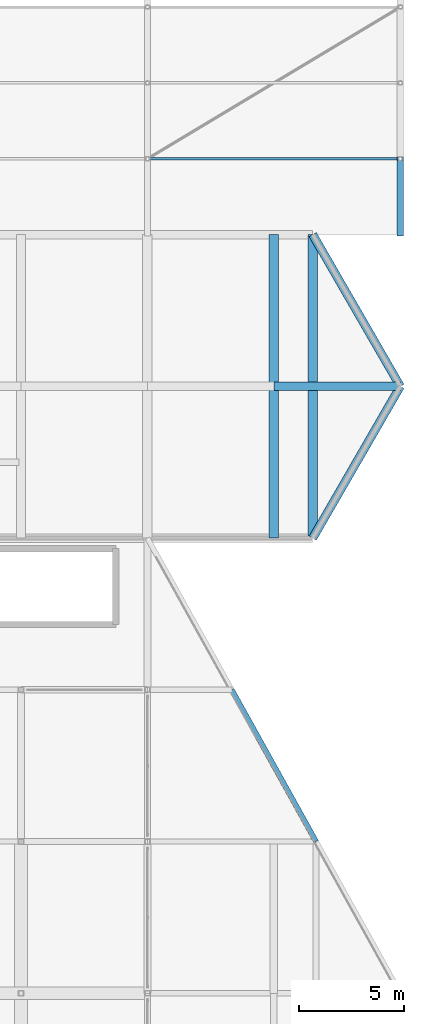
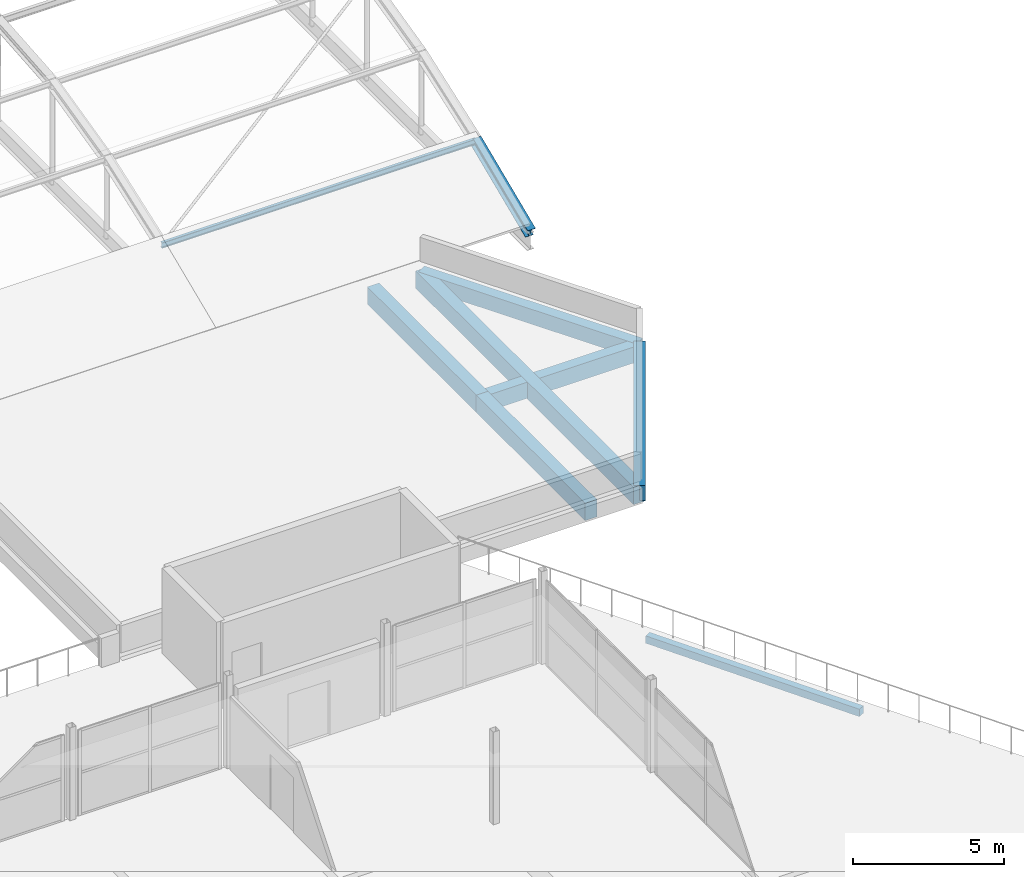
# One storey, part 172 of 239: 8 beams, 1 member.
"""IFC4 building model written with IfcOpenShell, lengths in metres."""

from ifc_helpers import new_model, si_unit, direction, frame, origin, origin_2d, place, context, subcontext, project, spatial, rectangle, i_section, extrude, material, material_profile, profile_set, type_object, element, save


model = new_model("IFC4")

# Units and contexts
model_context = context("Model", 3, precision=1e-05, world=origin(), true_north=direction((0.0, 1.0)))
body_context = subcontext(model_context, "Body", "Model", "MODEL_VIEW")
ifc_project = project(units=[si_unit("LENGTHUNIT", "METRE"), si_unit("AREAUNIT", "SQUARE_METRE"), si_unit("VOLUMEUNIT", "CUBIC_METRE"), si_unit("PLANEANGLEUNIT", "RADIAN"), si_unit("MASSUNIT", "GRAM", prefix="KILO")], contexts=[model_context])

# Site, building, storey
site_placement = place(None, origin())
site = spatial("IfcSite", under=ifc_project, at=site_placement, CompositionType="ELEMENT")
building_placement = place(site_placement, origin())
building = spatial("IfcBuilding", under=site, at=building_placement, Name="Dunvalen Ferry Terminal", CompositionType="ELEMENT")
storey_placement = place(building_placement, frame((0.0, 0.0, 9.840087890625)))
storey = spatial("IfcBuildingStorey", under=building, at=storey_placement, Name="L02", CompositionType="ELEMENT", Elevation=9.840087890625)

# Beams
ifc_material_1 = material(Name="Steel S355", Category="steel")
ifc_material_profile_1 = material_profile(ifc_material_1, i_section(OverallWidth=0.300048828125, OverallDepth=0.389892578125, WebThickness=0.010986328125, FlangeThickness=0.01904296875, FilletRadius=0.027099609375, at=origin_2d()), Name="Steel S355")
ifc_profile_set_1 = profile_set([ifc_material_profile_1], Name="Steel S355")
beam_type_1 = type_object("IfcBeamType", Name="STR-BM-HEA400", PredefinedType="BEAM", material=ifc_profile_set_1)
beam_1_placement = place(storey_placement, frame((168.0, 57.60009765625, 0.0), z_axis=(0.0, 0.920277550042, 0.391266189299), x_axis=(-1.0, 0.0, 0.0)))
element("IfcBeam", 1, at=beam_1_placement, inside=storey, type_object=beam_type_1, Name="Arrivals Hall Barrel-Vault Arch Rib 06.1", PredefinedType="BEAM", context=body_context, shape_type="SweptSolid", body=[
    extrude(i_section(OverallWidth=0.300048828125, OverallDepth=0.389892578125, WebThickness=0.010986328125, FlangeThickness=0.01904296875, FilletRadius=0.027099609375, at=origin_2d()), origin(), (0.0, 0.0, 1.0), 3.91162109375),
])
ifc_material_2 = material(Name="Concrete C35/45", Category="concrete")
ifc_material_profile_2 = material_profile(ifc_material_2, rectangle(XDim=0.39990234375, YDim=0.60009765625, at=origin_2d()), Name="Concrete C35/45")
ifc_profile_set_2 = profile_set([ifc_material_profile_2], Name="Concrete C35/45")
beam_type_2 = type_object("IfcBeamType", Name="STR-BM-RCB600", PredefinedType="BEAM", material=ifc_profile_set_2)
beam_2_placement = place(storey_placement, frame((163.843017578125, 43.199951171875, -0.300048828125), z_axis=(0.500007999416, 0.86602078527, 0.0), x_axis=(-0.86602078527, 0.500007999416, 0.0)))
element("IfcBeam", 2, at=beam_2_placement, inside=storey, type_object=beam_type_2, Name="L02 Customs Annex Ring Beam 02", PredefinedType="BEAM", context=body_context, shape_type="SweptSolid", body=[
    extrude(rectangle(XDim=0.39990234375, YDim=0.60009765625, at=origin_2d()), origin(), (0.0, 0.0, 1.0), 8.313720703125),
])
beam_3_placement = place(storey_placement, frame((168.0, 50.39990234375, -0.300048828125), z_axis=(-0.499995283874, 0.866028126624, 0.0), x_axis=(-0.866028126624, -0.499995283874, 0.0)))
element("IfcBeam", 3, at=beam_3_placement, inside=storey, type_object=beam_type_2, Name="L02 Customs Annex Ring Beam 03", PredefinedType="BEAM", context=body_context, shape_type="SweptSolid", body=[
    extrude(rectangle(XDim=0.39990234375, YDim=0.60009765625, at=origin_2d()), origin(), (0.0, 0.0, 1.0), 8.31396484375),
])
ifc_material_3 = material(Name="Concrete C40/50", Category="concrete")
ifc_material_profile_3 = material_profile(ifc_material_3, rectangle(XDim=0.39990234375, YDim=0.64990234375, at=origin_2d()), Name="Concrete C40/50")
ifc_profile_set_3 = profile_set([ifc_material_profile_3], Name="Concrete C40/50")
beam_type_3 = type_object("IfcBeamType", Name="STR-BM-RCB650", PredefinedType="BEAM", material=ifc_profile_set_3)
beam_4_placement = place(storey_placement, frame((162.0, 50.39990234375, -0.3251953125), z_axis=(1.0, 0.0, 0.0), x_axis=(0.0, 1.0, 0.0)))
element("IfcBeam", 4, at=beam_4_placement, inside=storey, type_object=beam_type_3, Name="L02 V2A Primary Beam X-008", PredefinedType="BEAM", context=body_context, shape_type="SweptSolid", body=[
    extrude(rectangle(XDim=0.39990234375, YDim=0.64990234375, at=origin_2d()), origin(), (0.0, 0.0, 1.0), 6.0),
])
ifc_material_profile_4 = material_profile(ifc_material_3, rectangle(XDim=0.449951171875, YDim=0.699951171875, at=origin_2d()), Name="Concrete C40/50")
ifc_profile_set_4 = profile_set([ifc_material_profile_4], Name="Concrete C40/50")
beam_type_4 = type_object("IfcBeamType", Name="STR-BM-RCB700", PredefinedType="BEAM", material=ifc_profile_set_4)
beam_5_placement = place(storey_placement, frame((162.0, 43.199951171875, -0.35009765625), z_axis=(0.0, 1.0, 0.0), x_axis=(-1.0, 0.0, 0.0)))
element("IfcBeam", 5, at=beam_5_placement, inside=storey, type_object=beam_type_4, Name="L02 V2A Primary Girder Y-019", PredefinedType="BEAM", context=body_context, shape_type="SweptSolid", body=[
    extrude(rectangle(XDim=0.449951171875, YDim=0.699951171875, at=origin_2d()), origin(), (0.0, 0.0, 1.0), 7.199951171875),
])
beam_6_placement = place(storey_placement, frame((162.0, 50.39990234375, -0.35009765625), z_axis=(0.0, 1.0, 0.0), x_axis=(-1.0, 0.0, 0.0)))
element("IfcBeam", 6, at=beam_6_placement, inside=storey, type_object=beam_type_4, Name="L02 V2A Primary Girder Y-020", PredefinedType="BEAM", context=body_context, shape_type="SweptSolid", body=[
    extrude(rectangle(XDim=0.449951171875, YDim=0.699951171875, at=origin_2d()), origin(), (0.0, 0.0, 1.0), 7.2001953125),
])
beam_7_placement = place(storey_placement, frame((163.843017578125, 43.199951171875, -0.35009765625), z_axis=(0.0, 1.0, 0.0), x_axis=(-1.0, 0.0, 0.0)))
element("IfcBeam", 7, at=beam_7_placement, inside=storey, type_object=beam_type_4, Name="L02 V2A Primary Girder Y-021", PredefinedType="BEAM", context=body_context, shape_type="SweptSolid", body=[
    extrude(rectangle(XDim=0.449951171875, YDim=0.699951171875, at=origin_2d()), origin(), (0.0, 0.0, 1.0), 14.400146484375),
])
ifc_material_profile_5 = material_profile(ifc_material_2, rectangle(XDim=0.25, YDim=0.300048828125, at=origin_2d()), Name="Concrete C35/45")
ifc_profile_set_5 = profile_set([ifc_material_profile_5], Name="Concrete C35/45")
beam_type_5 = type_object("IfcBeamType", Name="STR-BM-RCL300", PredefinedType="LINTEL", material=ifc_profile_set_5)
beam_8_placement = place(storey_placement, frame((164.0, 28.800048828125, -0.43017578125), z_axis=(-0.485645447903, 0.874155877937, 0.0), x_axis=(-0.874155877937, -0.485645447903, 0.0)))
element("IfcBeam", 8, at=beam_8_placement, inside=storey, type_object=beam_type_5, Name="L02 Hexagon-Cut Wing Perimeter Beam 5", PredefinedType="LINTEL", context=body_context, shape_type="SweptSolid", body=[
    extrude(rectangle(XDim=0.25, YDim=0.300048828125, at=origin_2d()), origin(), (0.0, 0.0, 1.0), 8.236572265625),
])

# Member
ifc_material_profile_6 = material_profile(ifc_material_1, i_section(OverallWidth=0.110107421875, OverallDepth=0.219970703125, WebThickness=0.005859375, FlangeThickness=0.00927734375, FilletRadius=0.011962890625, at=origin_2d()), Name="Steel S355")
ifc_profile_set_6 = profile_set([ifc_material_profile_6], Name="Steel S355")
member_type = type_object("IfcMemberType", Name="STR-MB-IPE220", PredefinedType="PURLIN", material=ifc_profile_set_6)
member_placement = place(storey_placement, frame((156.0, 61.199951171875, 1.530517578125), z_axis=(1.0, 0.0, 0.0), x_axis=(0.0, 1.0, 0.0)))
element("IfcMember", 9, at=member_placement, inside=storey, type_object=member_type, Name="Arrivals Hall Barrel-Vault Purlin 5.2", PredefinedType="PURLIN", context=body_context, shape_type="SweptSolid", body=[
    extrude(i_section(OverallWidth=0.110107421875, OverallDepth=0.219970703125, WebThickness=0.005859375, FlangeThickness=0.00927734375, FilletRadius=0.011962890625, at=origin_2d()), origin(), (0.0, 0.0, 1.0), 12.0),
])

save(model, "model.ifc")
